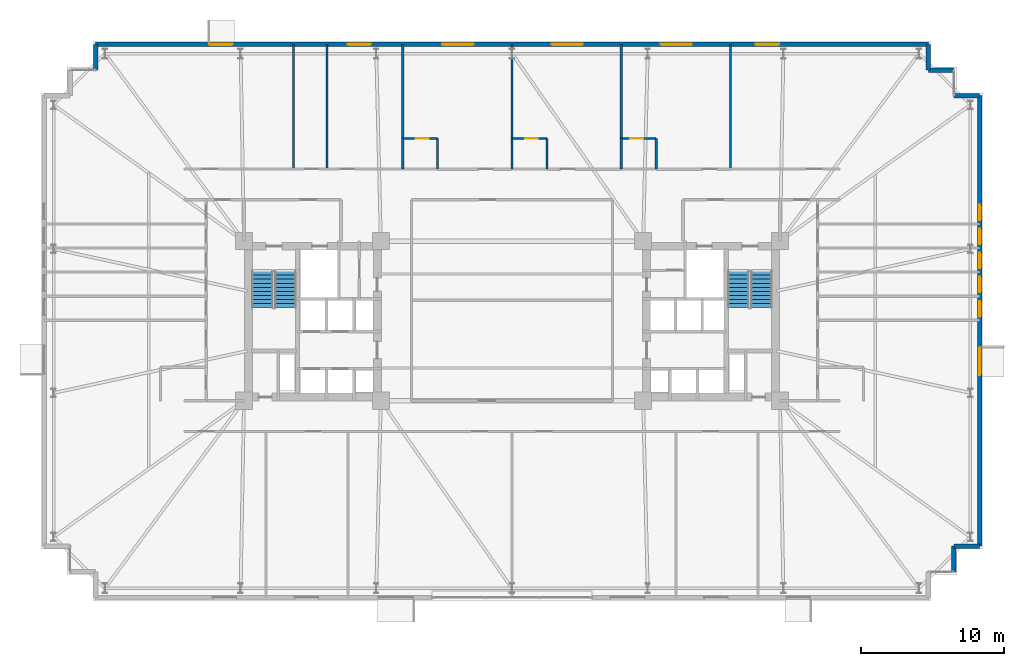
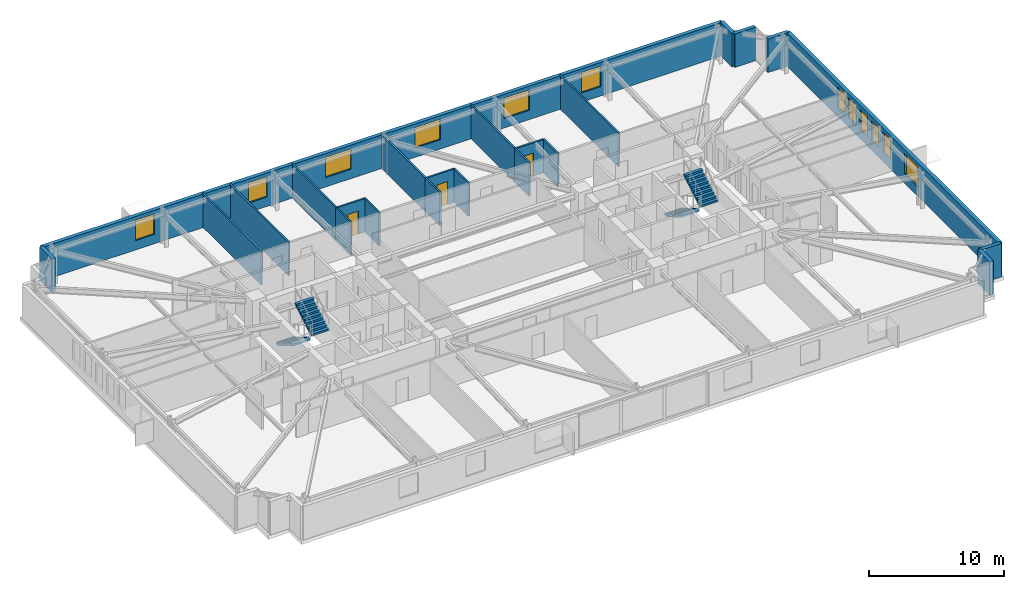
# One storey, part 22 of 24: 23 walls, 12 windows, 4 stair flights, 3 doors, 15 openings, 2 elements without a shape of their own.
"""IFC4 building model written with IfcOpenShell, lengths in metres."""

from ifc_helpers import new_model, si_unit, direction, frame, frame_2d, origin, place, context, subcontext, project, spatial, polyline, rectangle, outline, extrude, material, layer, layer_set, type_object, element, fill, aggregate, save


model = new_model("IFC4")

# Units and contexts
model_context = context("Model", 3, precision=1e-05, world=origin(), true_north=direction((0.0, 1.0)))
body_context = subcontext(model_context, "Body", "Model", "MODEL_VIEW")
ifc_project = project(units=[si_unit("LENGTHUNIT", "METRE"), si_unit("AREAUNIT", "SQUARE_METRE"), si_unit("VOLUMEUNIT", "CUBIC_METRE"), si_unit("PLANEANGLEUNIT", "RADIAN"), si_unit("MASSUNIT", "GRAM", prefix="KILO")], contexts=[model_context])

# Site, building, storey
site_placement = place(None, origin())
site = spatial("IfcSite", under=ifc_project, at=site_placement, CompositionType="ELEMENT")
building_placement = place(site_placement, origin())
building = spatial("IfcBuilding", under=site, at=building_placement, Name="Qobustan Lattice House", CompositionType="ELEMENT")
storey_placement = place(building_placement, frame((0.0, 0.0, 50.449951171875)))
storey = spatial("IfcBuildingStorey", under=building, at=storey_placement, Name="L13", CompositionType="ELEMENT", Elevation=50.449951171875)

# Wall
ifc_material_1 = material(Name="Precast concrete C40/50", Category="concrete")
ifc_layer_1 = layer(ifc_material_1, 0.320068359375)
ifc_layer_set_1 = layer_set([ifc_layer_1], Name="Precast concrete C40/50")
wall_type_1 = type_object("IfcWallType", Name="WAL-EXT-STONE-320", PredefinedType="SOLIDWALL", material=ifc_layer_set_1)
wall_1_placement = place(storey_placement, frame((-29.199951171875, 17.60009765625, 0.0), z_axis=(0.0, 0.0, 1.0), x_axis=(0.0, 1.0, 0.0)))
element("IfcWall", 1, at=wall_1_placement, inside=storey, type_object=wall_type_1, Name="L13 exterior limestone-clad wall 9", PredefinedType="SOLIDWALL", context=body_context, shape_type="SweptSolid", body=[
    extrude(rectangle(XDim=1.7998046875, YDim=0.320068359375, at=frame_2d((0.89990234375, 0.0))), origin(), (0.0, 0.0, 1.0), 3.03515625),
])

# Wall, openings, windows
wall_2_placement = place(storey_placement, frame((-29.199951171875, 19.39990234375, 0.0), z_axis=(0.0, 0.0, 1.0), x_axis=(1.0, 0.0, 0.0)))
wall_2 = element("IfcWall", 2, at=wall_2_placement, inside=storey, type_object=wall_type_1, Name="L13 exterior limestone-clad wall 10", PredefinedType="SOLIDWALL", context=body_context, shape_type="SweptSolid", body=[
    extrude(rectangle(XDim=58.39990234375, YDim=0.320068359375, at=frame_2d((29.199951171875, 0.0))), origin(), (0.0, 0.0, 1.0), 3.03515625),
])
opening_1_placement = place(wall_2_placement, frame((7.972412109375, 0.0, 0.85009765625)))
opening_1 = element("IfcOpeningElement", 3, at=opening_1_placement, cuts=wall_2, Name="Opening WN-09", PredefinedType="OPENING", context=body_context, shape_type="SweptSolid", body=[
    extrude(rectangle(XDim=1.64990234375, YDim=1.85009765625, at=frame_2d((0.824951171875, 0.925048828125))), frame((0.0, 0.169921875, 0.0), z_axis=(0.0, -1.0, 0.0), x_axis=(1.0, 0.0, 0.0)), (0.0, 0.0, 1.0), 0.340087890625),
])
opening_2_placement = place(wall_2_placement, frame((17.69091796875, 0.0, 0.85009765625)))
opening_2 = element("IfcOpeningElement", 4, at=opening_2_placement, cuts=wall_2, Name="Opening WN-13", PredefinedType="OPENING", context=body_context, shape_type="SweptSolid", body=[
    extrude(rectangle(XDim=1.60009765625, YDim=1.85009765625, at=frame_2d((0.800048828125, 0.925048828125))), frame((0.0, 0.169921875, 0.0), z_axis=(0.0, -1.0, 0.0), x_axis=(1.0, 0.0, 0.0)), (0.0, 0.0, 1.0), 0.340087890625),
])
opening_3_placement = place(wall_2_placement, frame((24.300048828125, 0.0, 0.85009765625)))
opening_3 = element("IfcOpeningElement", 5, at=opening_3_placement, cuts=wall_2, Name="Opening WN-03", PredefinedType="OPENING", context=body_context, shape_type="SweptSolid", body=[
    extrude(rectangle(XDim=2.199951171875, YDim=1.85009765625, at=frame_2d((1.10009765625, 0.925048828125))), frame((0.0, 0.169921875, 0.0), z_axis=(0.0, -1.0, 0.0), x_axis=(1.0, 0.0, 0.0)), (0.0, 0.0, 1.0), 0.340087890625),
])
opening_4_placement = place(wall_2_placement, frame((31.97998046875, 0.0, 0.85009765625)))
opening_4 = element("IfcOpeningElement", 6, at=opening_4_placement, cuts=wall_2, Name="Opening WN-03", PredefinedType="OPENING", context=body_context, shape_type="SweptSolid", body=[
    extrude(rectangle(XDim=2.199951171875, YDim=1.85009765625, at=frame_2d((1.10009765625, 0.925048828125))), frame((0.0, 0.169921875, 0.0), z_axis=(0.0, -1.0, 0.0), x_axis=(1.0, 0.0, 0.0)), (0.0, 0.0, 1.0), 0.340087890625),
])
opening_5_placement = place(wall_2_placement, frame((39.6201171875, 0.0, 0.85009765625)))
opening_5 = element("IfcOpeningElement", 7, at=opening_5_placement, cuts=wall_2, Name="Opening WN-03", PredefinedType="OPENING", context=body_context, shape_type="SweptSolid", body=[
    extrude(rectangle(XDim=2.199951171875, YDim=1.85009765625, at=frame_2d((1.10009765625, 0.925048828125))), frame((0.0, 0.169921875, 0.0), z_axis=(0.0, -1.0, 0.0), x_axis=(1.0, 0.0, 0.0)), (0.0, 0.0, 1.0), 0.340087890625),
])
opening_6_placement = place(wall_2_placement, frame((46.29248046875, 0.0, 0.85009765625)))
opening_6 = element("IfcOpeningElement", 8, at=opening_6_placement, cuts=wall_2, Name="Opening WN-09", PredefinedType="OPENING", context=body_context, shape_type="SweptSolid", body=[
    extrude(rectangle(XDim=1.64990234375, YDim=1.85009765625, at=frame_2d((0.824951171875, 0.925048828125))), frame((0.0, 0.169921875, 0.0), z_axis=(0.0, -1.0, 0.0), x_axis=(1.0, 0.0, 0.0)), (0.0, 0.0, 1.0), 0.340087890625),
])
ifc_material_2 = material(Name="Double-glazed low-E aluminium window", Category="aluminium")
window_type_1 = type_object("IfcWindowType", Name="WIN-BED-1600x1850", PartitioningType="SINGLE_PANEL", PredefinedType="WINDOW", material=ifc_material_2)
window_1_placement = place(opening_2_placement, origin())
window_1 = element("IfcWindow", 9, at=window_1_placement, inside=storey, type_object=window_type_1, Name="L13 Laundry utility room window", OverallHeight=1.85009765625, OverallWidth=1.60009765625, PartitioningType="SINGLE_PANEL", PredefinedType="WINDOW", context=body_context, shape_type="SweptSolid", body=[
    extrude(rectangle(XDim=1.60009765625, YDim=1.85009765625, at=frame_2d((0.800048828125, 0.925048828125))), frame((0.0, 0.030029296875, 0.0), z_axis=(0.0, -1.0, 0.0), x_axis=(1.0, 0.0, 0.0)), (0.0, 0.0, 1.0), 0.06005859375),
])
fill(opening_2, window_1)
ifc_material_3 = material(Name="Double-glazed low-E aluminium window", Category="aluminium")
window_type_2 = type_object("IfcWindowType", Name="WIN-STU-1650x1850", PartitioningType="SINGLE_PANEL", PredefinedType="WINDOW", material=ifc_material_3)
window_2_placement = place(opening_1_placement, origin())
window_2 = element("IfcWindow", 10, at=window_2_placement, inside=storey, type_object=window_type_2, Name="L13 Focus study room N1 window", OverallHeight=1.85009765625, OverallWidth=1.64990234375, PartitioningType="SINGLE_PANEL", PredefinedType="WINDOW", context=body_context, shape_type="SweptSolid", body=[
    extrude(rectangle(XDim=1.64990234375, YDim=1.85009765625, at=frame_2d((0.824951171875, 0.925048828125))), frame((0.0, 0.030029296875, 0.0), z_axis=(0.0, -1.0, 0.0), x_axis=(1.0, 0.0, 0.0)), (0.0, 0.0, 1.0), 0.06005859375),
])
fill(opening_1, window_2)
window_3_placement = place(opening_6_placement, origin())
window_3 = element("IfcWindow", 11, at=window_3_placement, inside=storey, type_object=window_type_2, Name="L13 Focus study room N6 window", OverallHeight=1.85009765625, OverallWidth=1.64990234375, PartitioningType="SINGLE_PANEL", PredefinedType="WINDOW", context=body_context, shape_type="SweptSolid", body=[
    extrude(rectangle(XDim=1.64990234375, YDim=1.85009765625, at=frame_2d((0.824951171875, 0.925048828125))), frame((0.0, 0.030029296875, 0.0), z_axis=(0.0, -1.0, 0.0), x_axis=(1.0, 0.0, 0.0)), (0.0, 0.0, 1.0), 0.06005859375),
])
fill(opening_6, window_3)
ifc_material_4 = material(Name="Double-glazed low-E aluminium window", Category="aluminium")
window_type_3 = type_object("IfcWindowType", Name="WIN-WIDE-2200x1850", PartitioningType="SINGLE_PANEL", PredefinedType="WINDOW", material=ifc_material_4)
window_4_placement = place(opening_3_placement, origin())
window_4 = element("IfcWindow", 12, at=window_4_placement, inside=storey, type_object=window_type_3, Name="L13 Kitchenette and studio apartment L13-N3 window", OverallHeight=1.85009765625, OverallWidth=2.199951171875, PartitioningType="SINGLE_PANEL", PredefinedType="WINDOW", context=body_context, shape_type="SweptSolid", body=[
    extrude(rectangle(XDim=2.199951171875, YDim=1.85009765625, at=frame_2d((1.10009765625, 0.925048828125))), frame((0.0, 0.030029296875, 0.0), z_axis=(0.0, -1.0, 0.0), x_axis=(1.0, 0.0, 0.0)), (0.0, 0.0, 1.0), 0.06005859375),
])
fill(opening_3, window_4)
window_5_placement = place(opening_4_placement, origin())
window_5 = element("IfcWindow", 13, at=window_5_placement, inside=storey, type_object=window_type_3, Name="L13 Kitchenette and studio apartment L13-N4 window", OverallHeight=1.85009765625, OverallWidth=2.199951171875, PartitioningType="SINGLE_PANEL", PredefinedType="WINDOW", context=body_context, shape_type="SweptSolid", body=[
    extrude(rectangle(XDim=2.199951171875, YDim=1.85009765625, at=frame_2d((1.10009765625, 0.925048828125))), frame((0.0, 0.030029296875, 0.0), z_axis=(0.0, -1.0, 0.0), x_axis=(1.0, 0.0, 0.0)), (0.0, 0.0, 1.0), 0.06005859375),
])
fill(opening_4, window_5)
window_6_placement = place(opening_5_placement, origin())
window_6 = element("IfcWindow", 14, at=window_6_placement, inside=storey, type_object=window_type_3, Name="L13 Kitchenette and studio apartment L13-N5 window", OverallHeight=1.85009765625, OverallWidth=2.199951171875, PartitioningType="SINGLE_PANEL", PredefinedType="WINDOW", context=body_context, shape_type="SweptSolid", body=[
    extrude(rectangle(XDim=2.199951171875, YDim=1.85009765625, at=frame_2d((1.10009765625, 0.925048828125))), frame((0.0, 0.030029296875, 0.0), z_axis=(0.0, -1.0, 0.0), x_axis=(1.0, 0.0, 0.0)), (0.0, 0.0, 1.0), 0.06005859375),
])
fill(opening_5, window_6)

# Walls
wall_3_placement = place(storey_placement, frame((29.199951171875, 19.39990234375, 0.0), z_axis=(0.0, 0.0, 1.0), x_axis=(0.0, -1.0, 0.0)))
element("IfcWall", 15, at=wall_3_placement, inside=storey, type_object=wall_type_1, Name="L13 exterior limestone-clad wall 11", PredefinedType="SOLIDWALL", context=body_context, shape_type="SweptSolid", body=[
    extrude(rectangle(XDim=1.7998046875, YDim=0.320068359375, at=frame_2d((0.89990234375, 0.0))), origin(), (0.0, 0.0, 1.0), 3.03515625),
])
for number, where, z_axis, x_axis, name in (
    (16, (29.199951171875, 17.60009765625, 0.0), (0.0, 0.0, 1.0), (1.0, 0.0, 0.0), "L13 exterior limestone-clad wall 12"),
    (17, (31.0, 15.800048828125, 0.0), (0.0, 0.0, 1.0), (1.0, 0.0, 0.0), "L13 exterior limestone-clad wall 14"),
):
    element("IfcWall", number, at=place(storey_placement, frame(where, z_axis=z_axis, x_axis=x_axis)), inside=storey, type_object=wall_type_1, Name=name, PredefinedType="SOLIDWALL", context=body_context, shape_type="SweptSolid", body=[
        extrude(rectangle(XDim=1.800048828125, YDim=0.320068359375, at=frame_2d((0.89990234375, 0.0))), origin(), (0.0, 0.0, 1.0), 3.03515625),
    ])

# Wall, openings, windows
wall_4_placement = place(storey_placement, frame((32.800048828125, 15.800048828125, 0.0), z_axis=(0.0, 0.0, 1.0), x_axis=(0.0, -1.0, 0.0)))
wall_4 = element("IfcWall", 18, at=wall_4_placement, inside=storey, type_object=wall_type_1, Name="L13 exterior limestone-clad wall 15", PredefinedType="SOLIDWALL", context=body_context, shape_type="SweptSolid", body=[
    extrude(rectangle(XDim=31.60009765625, YDim=0.320068359375, at=frame_2d((15.800048828125, 0.0))), origin(), (0.0, 0.0, 1.0), 3.03515625),
])
opening_7_placement = place(wall_4_placement, frame((7.64990234375, 0.0, 0.85009765625)))
opening_7 = element("IfcOpeningElement", 19, at=opening_7_placement, cuts=wall_4, Name="Opening WN-04", PredefinedType="OPENING", context=body_context, shape_type="SweptSolid", body=[
    extrude(rectangle(XDim=1.10009765625, YDim=1.85009765625, at=frame_2d((0.550048828125, 0.925048828125))), frame((0.0, 0.169921875, 0.0), z_axis=(0.0, -1.0, 0.0), x_axis=(1.0, 0.0, 0.0)), (0.0, 0.0, 1.0), 0.340087890625),
])
opening_8_placement = place(wall_4_placement, frame((9.330078125, 0.0, 0.85009765625)))
opening_8 = element("IfcOpeningElement", 20, at=opening_8_placement, cuts=wall_4, Name="Opening WN-04", PredefinedType="OPENING", context=body_context, shape_type="SweptSolid", body=[
    extrude(rectangle(XDim=1.10009765625, YDim=1.85009765625, at=frame_2d((0.550048828125, 0.925048828125))), frame((0.0, 0.169921875, 0.0), z_axis=(0.0, -1.0, 0.0), x_axis=(1.0, 0.0, 0.0)), (0.0, 0.0, 1.0), 0.340087890625),
])
opening_9_placement = place(wall_4_placement, frame((11.010009765625, 0.0, 0.85009765625)))
opening_9 = element("IfcOpeningElement", 21, at=opening_9_placement, cuts=wall_4, Name="Opening WN-04", PredefinedType="OPENING", context=body_context, shape_type="SweptSolid", body=[
    extrude(rectangle(XDim=1.10009765625, YDim=1.85009765625, at=frame_2d((0.550048828125, 0.925048828125))), frame((0.0, 0.169921875, 0.0), z_axis=(0.0, -1.0, 0.0), x_axis=(1.0, 0.0, 0.0)), (0.0, 0.0, 1.0), 0.340087890625),
])
opening_10_placement = place(wall_4_placement, frame((12.68994140625, 0.0, 0.85009765625)))
opening_10 = element("IfcOpeningElement", 22, at=opening_10_placement, cuts=wall_4, Name="Opening WN-04", PredefinedType="OPENING", context=body_context, shape_type="SweptSolid", body=[
    extrude(rectangle(XDim=1.10009765625, YDim=1.85009765625, at=frame_2d((0.550048828125, 0.925048828125))), frame((0.0, 0.169921875, 0.0), z_axis=(0.0, -1.0, 0.0), x_axis=(1.0, 0.0, 0.0)), (0.0, 0.0, 1.0), 0.340087890625),
])
opening_11_placement = place(wall_4_placement, frame((14.409912109375, 0.0, 0.85009765625)))
opening_11 = element("IfcOpeningElement", 23, at=opening_11_placement, cuts=wall_4, Name="Opening WN-04", PredefinedType="OPENING", context=body_context, shape_type="SweptSolid", body=[
    extrude(rectangle(XDim=1.10009765625, YDim=1.85009765625, at=frame_2d((0.550048828125, 0.925048828125))), frame((0.0, 0.169921875, 0.0), z_axis=(0.0, -1.0, 0.0), x_axis=(1.0, 0.0, 0.0)), (0.0, 0.0, 1.0), 0.340087890625),
])
opening_12_placement = place(wall_4_placement, frame((17.6650390625, 0.0, 0.85009765625)))
opening_12 = element("IfcOpeningElement", 24, at=opening_12_placement, cuts=wall_4, Name="Opening WN-08", PredefinedType="OPENING", context=body_context, shape_type="SweptSolid", body=[
    extrude(rectangle(XDim=1.949951171875, YDim=1.85009765625, at=frame_2d((0.97509765625, 0.925048828125))), frame((0.0, 0.169921875, 0.0), z_axis=(0.0, -1.0, 0.0), x_axis=(1.0, 0.0, 0.0)), (0.0, 0.0, 1.0), 0.340087890625),
])
ifc_material_5 = material(Name="Double-glazed low-E aluminium window", Category="aluminium")
window_type_4 = type_object("IfcWindowType", Name="WIN-KIT-1950x1850", PartitioningType="SINGLE_PANEL", PredefinedType="WINDOW", material=ifc_material_5)
window_7_placement = place(opening_12_placement, origin())
window_7 = element("IfcWindow", 25, at=window_7_placement, inside=storey, type_object=window_type_4, Name="L13 Shared kitchen L13E window", OverallHeight=1.85009765625, OverallWidth=1.949951171875, PartitioningType="SINGLE_PANEL", PredefinedType="WINDOW", context=body_context, shape_type="SweptSolid", body=[
    extrude(rectangle(XDim=1.949951171875, YDim=1.85009765625, at=frame_2d((0.97509765625, 0.925048828125))), frame((0.0, 0.030029296875, 0.0), z_axis=(0.0, -1.0, 0.0), x_axis=(1.0, 0.0, 0.0)), (0.0, 0.0, 1.0), 0.06005859375),
])
fill(opening_12, window_7)
ifc_material_6 = material(Name="Double-glazed low-E aluminium window", Category="aluminium")
window_type_5 = type_object("IfcWindowType", Name="WIN-NAR-1100x1850", PartitioningType="SINGLE_PANEL", PredefinedType="WINDOW", material=ifc_material_6)
window_8_placement = place(opening_7_placement, origin())
window_8 = element("IfcWindow", 26, at=window_8_placement, inside=storey, type_object=window_type_5, Name="L13 Cluster bedroom L13E5 window", OverallHeight=1.85009765625, OverallWidth=1.10009765625, PartitioningType="SINGLE_PANEL", PredefinedType="WINDOW", context=body_context, shape_type="SweptSolid", body=[
    extrude(rectangle(XDim=1.10009765625, YDim=1.85009765625, at=frame_2d((0.550048828125, 0.925048828125))), frame((0.0, 0.030029296875, 0.0), z_axis=(0.0, -1.0, 0.0), x_axis=(1.0, 0.0, 0.0)), (0.0, 0.0, 1.0), 0.06005859375),
])
fill(opening_7, window_8)
window_9_placement = place(opening_8_placement, origin())
window_9 = element("IfcWindow", 27, at=window_9_placement, inside=storey, type_object=window_type_5, Name="L13 Cluster bedroom L13E4 window", OverallHeight=1.85009765625, OverallWidth=1.10009765625, PartitioningType="SINGLE_PANEL", PredefinedType="WINDOW", context=body_context, shape_type="SweptSolid", body=[
    extrude(rectangle(XDim=1.10009765625, YDim=1.85009765625, at=frame_2d((0.550048828125, 0.925048828125))), frame((0.0, 0.030029296875, 0.0), z_axis=(0.0, -1.0, 0.0), x_axis=(1.0, 0.0, 0.0)), (0.0, 0.0, 1.0), 0.06005859375),
])
fill(opening_8, window_9)
window_10_placement = place(opening_9_placement, origin())
window_10 = element("IfcWindow", 28, at=window_10_placement, inside=storey, type_object=window_type_5, Name="L13 Cluster bedroom L13E3 window", OverallHeight=1.85009765625, OverallWidth=1.10009765625, PartitioningType="SINGLE_PANEL", PredefinedType="WINDOW", context=body_context, shape_type="SweptSolid", body=[
    extrude(rectangle(XDim=1.10009765625, YDim=1.85009765625, at=frame_2d((0.550048828125, 0.925048828125))), frame((0.0, 0.030029296875, 0.0), z_axis=(0.0, -1.0, 0.0), x_axis=(1.0, 0.0, 0.0)), (0.0, 0.0, 1.0), 0.06005859375),
])
fill(opening_9, window_10)
window_11_placement = place(opening_10_placement, origin())
window_11 = element("IfcWindow", 29, at=window_11_placement, inside=storey, type_object=window_type_5, Name="L13 Cluster bedroom L13E2 window", OverallHeight=1.85009765625, OverallWidth=1.10009765625, PartitioningType="SINGLE_PANEL", PredefinedType="WINDOW", context=body_context, shape_type="SweptSolid", body=[
    extrude(rectangle(XDim=1.10009765625, YDim=1.85009765625, at=frame_2d((0.550048828125, 0.925048828125))), frame((0.0, 0.030029296875, 0.0), z_axis=(0.0, -1.0, 0.0), x_axis=(1.0, 0.0, 0.0)), (0.0, 0.0, 1.0), 0.06005859375),
])
fill(opening_10, window_11)
window_12_placement = place(opening_11_placement, origin())
window_12 = element("IfcWindow", 30, at=window_12_placement, inside=storey, type_object=window_type_5, Name="L13 Cluster bedroom L13E1 window", OverallHeight=1.85009765625, OverallWidth=1.10009765625, PartitioningType="SINGLE_PANEL", PredefinedType="WINDOW", context=body_context, shape_type="SweptSolid", body=[
    extrude(rectangle(XDim=1.10009765625, YDim=1.85009765625, at=frame_2d((0.550048828125, 0.925048828125))), frame((0.0, 0.030029296875, 0.0), z_axis=(0.0, -1.0, 0.0), x_axis=(1.0, 0.0, 0.0)), (0.0, 0.0, 1.0), 0.06005859375),
])
fill(opening_11, window_12)

# Walls
for number, where, z_axis, x_axis, name in (
    (31, (32.800048828125, -15.800048828125, 0.0), (0.0, 0.0, 1.0), (-1.0, 0.0, 0.0), "L13 exterior limestone-clad wall 16"),
    (32, (31.0, -15.800048828125, 0.0), (0.0, 0.0, 1.0), (0.0, -1.0, 0.0), "L13 exterior limestone-clad wall 17"),
):
    element("IfcWall", number, at=place(storey_placement, frame(where, z_axis=z_axis, x_axis=x_axis)), inside=storey, type_object=wall_type_1, Name=name, PredefinedType="SOLIDWALL", context=body_context, shape_type="SweptSolid", body=[
        extrude(rectangle(XDim=1.800048828125, YDim=0.320068359375, at=frame_2d((0.89990234375, 0.0))), origin(), (0.0, 0.0, 1.0), 3.03515625),
    ])
ifc_material_7 = material(Name="Acoustic twin-stud gypsum partition", Category="gypsum")
ifc_layer_2 = layer(ifc_material_7, 0.14990234375)
ifc_layer_set_2 = layer_set([ifc_layer_2], Name="Acoustic twin-stud gypsum partition")
wall_type_2 = type_object("IfcWallType", Name="WAL-PART-150", PredefinedType="PARTITIONING", material=ifc_layer_set_2)
for number, where, z_axis, x_axis, name in (
    (33, (-7.6669921875, 19.39990234375, 0.0), (0.0, 0.0, 1.0), (0.0, -1.0, 0.0), "L13 interior partition 100"),
    (34, (0.0, 19.39990234375, 0.0), (0.0, 0.0, 1.0), (0.0, -1.0, 0.0), "L13 interior partition 104"),
    (35, (7.6669921875, 19.39990234375, 0.0), (0.0, 0.0, 1.0), (0.0, -1.0, 0.0), "L13 interior partition 108"),
):
    element("IfcWall", number, at=place(storey_placement, frame(where, z_axis=z_axis, x_axis=x_axis)), inside=storey, type_object=wall_type_2, Name=name, PredefinedType="PARTITIONING", context=body_context, shape_type="SweptSolid", body=[
        extrude(rectangle(XDim=6.599853515625, YDim=0.14990234375, at=frame_2d((3.2998046875, 0.0))), origin(), (0.0, 0.0, 1.0), 3.03515625),
    ])
wall_5_placement = place(storey_placement, frame((15.3330078125, 19.39990234375, 0.0), z_axis=(0.0, 0.0, 1.0), x_axis=(0.0, -1.0, 0.0)))
element("IfcWall", 36, at=wall_5_placement, inside=storey, type_object=wall_type_2, Name="L13 interior partition 112", PredefinedType="PARTITIONING", context=body_context, shape_type="SweptSolid", body=[
    extrude(rectangle(XDim=8.75, YDim=0.14990234375, at=frame_2d((4.375, 0.0))), origin(), (0.0, 0.0, 1.0), 3.03515625),
])
ifc_material_8 = material(Name="Moisture-resistant acoustic plumbing wall", Category="gypsum")
ifc_layer_3 = layer(ifc_material_8, 0.14990234375)
ifc_layer_set_3 = layer_set([ifc_layer_3], Name="Moisture-resistant acoustic plumbing wall")
wall_type_3 = type_object("IfcWallType", Name="WAL-WET-150", PredefinedType="PLUMBINGWALL", material=ifc_layer_set_3)
for number, where, z_axis, x_axis, name in (
    (37, (-15.3330078125, 19.39990234375, 0.0), (0.0, 0.0, 1.0), (0.0, -1.0, 0.0), "L13 interior partition 98"),
    (38, (-12.98291015625, 19.39990234375, 0.0), (0.0, 0.0, 1.0), (0.0, -1.0, 0.0), "L13 interior partition 99"),
):
    element("IfcWall", number, at=place(storey_placement, frame(where, z_axis=z_axis, x_axis=x_axis)), inside=storey, type_object=wall_type_3, Name=name, PredefinedType="PLUMBINGWALL", context=body_context, shape_type="SweptSolid", body=[
        extrude(rectangle(XDim=8.75, YDim=0.14990234375, at=frame_2d((4.375, 0.0))), origin(), (0.0, 0.0, 1.0), 3.03515625),
    ])
wall_6_placement = place(storey_placement, frame((-7.6669921875, 12.800048828125, 0.0), z_axis=(0.0, 0.0, 1.0), x_axis=(0.0, -1.0, 0.0)))
element("IfcWall", 39, at=wall_6_placement, inside=storey, type_object=wall_type_3, Name="L13 interior partition 101", PredefinedType="PLUMBINGWALL", context=body_context, shape_type="SweptSolid", body=[
    extrude(rectangle(XDim=2.150146484375, YDim=0.14990234375, at=frame_2d((1.0751953125, 0.0))), origin(), (0.0, 0.0, 1.0), 3.03515625),
])

# Wall, opening, door
wall_7_placement = place(storey_placement, frame((-5.217041015625, 12.800048828125, 0.0), z_axis=(0.0, 0.0, 1.0), x_axis=(-1.0, 0.0, 0.0)))
wall_7 = element("IfcWall", 40, at=wall_7_placement, inside=storey, type_object=wall_type_3, Name="L13 interior partition 102", PredefinedType="PLUMBINGWALL", context=body_context, shape_type="SweptSolid", body=[
    extrude(rectangle(XDim=2.449951171875, YDim=0.14990234375, at=frame_2d((1.22509765625, 0.0))), origin(), (0.0, 0.0, 1.0), 3.03515625),
])
opening_13_placement = place(wall_7_placement, frame((0.62890625, 0.0, 0.0)))
opening_13 = element("IfcOpeningElement", 41, at=opening_13_placement, cuts=wall_7, Name="Opening WD-01", PredefinedType="OPENING", context=body_context, shape_type="SweptSolid", body=[
    extrude(rectangle(XDim=0.89990234375, YDim=2.10009765625, at=frame_2d((0.449951171875, 1.050048828125))), frame((0.0, 0.0849609375, 0.0), z_axis=(0.0, -1.0, 0.0), x_axis=(1.0, 0.0, 0.0)), (0.0, 0.0, 1.0), 0.169921875),
])
ifc_material_9 = material(Name="Persian walnut timber and steel frame door", Category="steel")
door_type = type_object("IfcDoorType", Name="DOR-WET-900x2100", OperationType="NOTDEFINED", PredefinedType="DOOR", material=ifc_material_9)
door_1_placement = place(opening_13_placement, origin())
door_1 = element("IfcDoor", 42, at=door_1_placement, inside=storey, type_object=door_type, Name="L13 Kitchenette and studio apartment L13-N3 to En-suite bathroom L13-N3 door", OperationType="SINGLE_SWING_LEFT", OverallHeight=2.10009765625, OverallWidth=0.89990234375, PredefinedType="DOOR", context=body_context, shape_type="SweptSolid", body=[
    extrude(rectangle(XDim=0.89990234375, YDim=2.10009765625, at=frame_2d((0.449951171875, 1.050048828125))), frame((0.0, 0.02490234375, 0.0), z_axis=(0.0, -1.0, 0.0), x_axis=(1.0, 0.0, 0.0)), (0.0, 0.0, 1.0), 0.050048828125),
])
fill(opening_13, door_1)

# Walls
for number, where, z_axis, x_axis, name in (
    (43, (-5.217041015625, 10.64990234375, 0.0), (0.0, 0.0, 1.0), (0.0, 1.0, 0.0), "L13 interior partition 103"),
    (44, (0.0, 12.800048828125, 0.0), (0.0, 0.0, 1.0), (0.0, -1.0, 0.0), "L13 interior partition 105"),
):
    element("IfcWall", number, at=place(storey_placement, frame(where, z_axis=z_axis, x_axis=x_axis)), inside=storey, type_object=wall_type_3, Name=name, PredefinedType="PLUMBINGWALL", context=body_context, shape_type="SweptSolid", body=[
        extrude(rectangle(XDim=2.150146484375, YDim=0.14990234375, at=frame_2d((1.0751953125, 0.0))), origin(), (0.0, 0.0, 1.0), 3.03515625),
    ])

# Wall, opening, door
wall_8_placement = place(storey_placement, frame((2.449951171875, 12.800048828125, 0.0), z_axis=(0.0, 0.0, 1.0), x_axis=(-1.0, 0.0, 0.0)))
wall_8 = element("IfcWall", 45, at=wall_8_placement, inside=storey, type_object=wall_type_3, Name="L13 interior partition 106", PredefinedType="PLUMBINGWALL", context=body_context, shape_type="SweptSolid", body=[
    extrude(rectangle(XDim=2.449951171875, YDim=0.14990234375, at=frame_2d((1.22509765625, 0.0))), origin(), (0.0, 0.0, 1.0), 3.03515625),
])
opening_14_placement = place(wall_8_placement, frame((0.62890625, 0.0, 0.0)))
opening_14 = element("IfcOpeningElement", 46, at=opening_14_placement, cuts=wall_8, Name="Opening WD-01", PredefinedType="OPENING", context=body_context, shape_type="SweptSolid", body=[
    extrude(rectangle(XDim=0.89990234375, YDim=2.10009765625, at=frame_2d((0.449951171875, 1.050048828125))), frame((0.0, 0.0849609375, 0.0), z_axis=(0.0, -1.0, 0.0), x_axis=(1.0, 0.0, 0.0)), (0.0, 0.0, 1.0), 0.169921875),
])
door_2_placement = place(opening_14_placement, origin())
door_2 = element("IfcDoor", 47, at=door_2_placement, inside=storey, type_object=door_type, Name="L13 Kitchenette and studio apartment L13-N4 to En-suite bathroom L13-N4 door", OperationType="SINGLE_SWING_RIGHT", OverallHeight=2.10009765625, OverallWidth=0.89990234375, PredefinedType="DOOR", context=body_context, shape_type="SweptSolid", body=[
    extrude(rectangle(XDim=0.89990234375, YDim=2.10009765625, at=frame_2d((0.449951171875, 1.050048828125))), frame((0.0, 0.02490234375, 0.0), z_axis=(0.0, -1.0, 0.0), x_axis=(1.0, 0.0, 0.0)), (0.0, 0.0, 1.0), 0.050048828125),
])
fill(opening_14, door_2)

# Walls
for number, where, z_axis, x_axis, name in (
    (48, (2.449951171875, 10.64990234375, 0.0), (0.0, 0.0, 1.0), (0.0, 1.0, 0.0), "L13 interior partition 107"),
    (49, (7.6669921875, 12.800048828125, 0.0), (0.0, 0.0, 1.0), (0.0, -1.0, 0.0), "L13 interior partition 109"),
):
    element("IfcWall", number, at=place(storey_placement, frame(where, z_axis=z_axis, x_axis=x_axis)), inside=storey, type_object=wall_type_3, Name=name, PredefinedType="PLUMBINGWALL", context=body_context, shape_type="SweptSolid", body=[
        extrude(rectangle(XDim=2.150146484375, YDim=0.14990234375, at=frame_2d((1.0751953125, 0.0))), origin(), (0.0, 0.0, 1.0), 3.03515625),
    ])

# Wall, opening, door
wall_9_placement = place(storey_placement, frame((10.116943359375, 12.800048828125, 0.0), z_axis=(0.0, 0.0, 1.0), x_axis=(-1.0, 0.0, 0.0)))
wall_9 = element("IfcWall", 50, at=wall_9_placement, inside=storey, type_object=wall_type_3, Name="L13 interior partition 110", PredefinedType="PLUMBINGWALL", context=body_context, shape_type="SweptSolid", body=[
    extrude(rectangle(XDim=2.449951171875, YDim=0.14990234375, at=frame_2d((1.22509765625, 0.0))), origin(), (0.0, 0.0, 1.0), 3.03515625),
])
opening_15_placement = place(wall_9_placement, frame((0.92138671875, 0.0, 0.0)))
opening_15 = element("IfcOpeningElement", 51, at=opening_15_placement, cuts=wall_9, Name="Opening WD-01", PredefinedType="OPENING", context=body_context, shape_type="SweptSolid", body=[
    extrude(rectangle(XDim=0.89990234375, YDim=2.10009765625, at=frame_2d((0.449951171875, 1.050048828125))), frame((0.0, 0.0849609375, 0.0), z_axis=(0.0, -1.0, 0.0), x_axis=(1.0, 0.0, 0.0)), (0.0, 0.0, 1.0), 0.169921875),
])
door_3_placement = place(opening_15_placement, origin())
door_3 = element("IfcDoor", 52, at=door_3_placement, inside=storey, type_object=door_type, Name="L13 Kitchenette and studio apartment L13-N5 to En-suite bathroom L13-N5 door", OperationType="SINGLE_SWING_LEFT", OverallHeight=2.10009765625, OverallWidth=0.89990234375, PredefinedType="DOOR", context=body_context, shape_type="SweptSolid", body=[
    extrude(rectangle(XDim=0.89990234375, YDim=2.10009765625, at=frame_2d((0.449951171875, 1.050048828125))), frame((0.0, 0.02490234375, 0.0), z_axis=(0.0, -1.0, 0.0), x_axis=(1.0, 0.0, 0.0)), (0.0, 0.0, 1.0), 0.050048828125),
])
fill(opening_15, door_3)

# Wall
wall_10_placement = place(storey_placement, frame((10.116943359375, 10.64990234375, 0.0), z_axis=(0.0, 0.0, 1.0), x_axis=(0.0, 1.0, 0.0)))
element("IfcWall", 53, at=wall_10_placement, inside=storey, type_object=wall_type_3, Name="L13 interior partition 111", PredefinedType="PLUMBINGWALL", context=body_context, shape_type="SweptSolid", body=[
    extrude(rectangle(XDim=2.150146484375, YDim=0.14990234375, at=frame_2d((1.0751953125, 0.0))), origin(), (0.0, 0.0, 1.0), 3.03515625),
])

# Stair, stair flights
ifc_material_10 = material(Name="Concrete C40/50", Category="concrete")
stair_type = type_object("IfcStairType", Name="STR-CORE-DOGLEG", PredefinedType="HALF_TURN_STAIR", material=ifc_material_10)
stair_1_placement = place(storey_placement, origin())
stair_1 = element("IfcStair", 54, at=stair_1_placement, inside=storey, type_object=stair_type, Name="L13 West protected exit stair ST-W1", PredefinedType="HALF_TURN_STAIR")
ifc_material_11 = material(Name="Concrete C40/50", Category="concrete")
stair_flight_type = type_object("IfcStairFlightType", Name="SFL-RC-1500", PredefinedType="STRAIGHT", material=ifc_material_11)
stair_flight_1_placement = place(storey_placement, frame((-17.5, 3.5, 0.0), z_axis=(0.0, 0.0, 1.0), x_axis=(0.0, -1.0, 0.0)))
stair_flight_1 = element("IfcStairFlight", 55, at=stair_flight_1_placement, type_object=stair_flight_type, Name="ST-W1 flight 1", NumberOfRisers=10, NumberOfTreads=9, PredefinedType="STRAIGHT", RiserHeight=0.1675, TreadLength=0.285, context=body_context, shape_type="SweptSolid", body=[
    extrude(outline(polyline([(0.0, 0.0), (0.0, 0.16748046875), (0.284912109375, 0.16748046875), (0.284912109375, 0.3349609375), (0.570068359375, 0.3349609375), (0.570068359375, 0.50244140625), (0.85498046875, 0.50244140625), (0.85498046875, 0.669921875), (1.139892578125, 0.669921875), (1.139892578125, 0.83740234375), (1.425048828125, 0.83740234375), (1.425048828125, 1.0048828125), (1.7099609375, 1.0048828125), (1.7099609375, 1.172607421875), (1.9951171875, 1.172607421875), (1.9951171875, 1.340087890625), (2.280029296875, 1.340087890625), (2.280029296875, 1.507568359375), (2.56494140625, 1.507568359375), (2.56494140625, 1.675048828125), (2.56494140625, 1.333740234375), (0.2958984375, 0.0), (0.0, 0.0)])), frame((0.0, 0.75, 0.0), z_axis=(0.0, -1.0, 0.0), x_axis=(1.0, 0.0, 0.0)), (0.0, 0.0, 1.0), 1.5),
])
stair_flight_2_placement = place(storey_placement, frame((-15.8798828125, 0.93505859375, 1.675048828125), z_axis=(0.0, 0.0, 1.0), x_axis=(0.0, 1.0, 0.0)))
stair_flight_2 = element("IfcStairFlight", 56, at=stair_flight_2_placement, type_object=stair_flight_type, Name="ST-W1 flight 2", NumberOfRisers=10, NumberOfTreads=9, PredefinedType="STRAIGHT", RiserHeight=0.1675, TreadLength=0.285, context=body_context, shape_type="SweptSolid", body=[
    extrude(outline(polyline([(0.0, 0.0), (0.0, 0.16748046875), (0.284912109375, 0.16748046875), (0.284912109375, 0.3349609375), (0.570068359375, 0.3349609375), (0.570068359375, 0.50244140625), (0.85498046875, 0.50244140625), (0.85498046875, 0.669921875), (1.139892578125, 0.669921875), (1.139892578125, 0.83740234375), (1.425048828125, 0.83740234375), (1.425048828125, 1.0048828125), (1.7099609375, 1.0048828125), (1.7099609375, 1.172607421875), (1.9951171875, 1.172607421875), (1.9951171875, 1.340087890625), (2.280029296875, 1.340087890625), (2.280029296875, 1.507568359375), (2.56494140625, 1.507568359375), (2.56494140625, 1.675048828125), (2.56494140625, 1.333740234375), (0.2958984375, 0.0), (0.0, 0.0)])), frame((0.0, 0.75, 0.0), z_axis=(0.0, -1.0, 0.0), x_axis=(1.0, 0.0, 0.0)), (0.0, 0.0, 1.0), 1.5),
])
aggregate(stair_1, [stair_flight_1, stair_flight_2])

stair_2_placement = place(storey_placement, origin())
stair_2 = element("IfcStair", 57, at=stair_2_placement, inside=storey, type_object=stair_type, Name="L13 East protected exit stair ST-E1", PredefinedType="HALF_TURN_STAIR")
stair_flight_3_placement = place(storey_placement, frame((15.8798828125, 3.5, 0.0), z_axis=(0.0, 0.0, 1.0), x_axis=(0.0, -1.0, 0.0)))
stair_flight_3 = element("IfcStairFlight", 58, at=stair_flight_3_placement, type_object=stair_flight_type, Name="ST-E1 flight 1", NumberOfRisers=10, NumberOfTreads=9, PredefinedType="STRAIGHT", RiserHeight=0.1675, TreadLength=0.285, context=body_context, shape_type="SweptSolid", body=[
    extrude(outline(polyline([(0.0, 0.0), (0.0, 0.16748046875), (0.284912109375, 0.16748046875), (0.284912109375, 0.3349609375), (0.570068359375, 0.3349609375), (0.570068359375, 0.50244140625), (0.85498046875, 0.50244140625), (0.85498046875, 0.669921875), (1.139892578125, 0.669921875), (1.139892578125, 0.83740234375), (1.425048828125, 0.83740234375), (1.425048828125, 1.0048828125), (1.7099609375, 1.0048828125), (1.7099609375, 1.172607421875), (1.9951171875, 1.172607421875), (1.9951171875, 1.340087890625), (2.280029296875, 1.340087890625), (2.280029296875, 1.507568359375), (2.56494140625, 1.507568359375), (2.56494140625, 1.675048828125), (2.56494140625, 1.333740234375), (0.2958984375, 0.0), (0.0, 0.0)])), frame((0.0, 0.75, 0.0), z_axis=(0.0, -1.0, 0.0), x_axis=(1.0, 0.0, 0.0)), (0.0, 0.0, 1.0), 1.5),
])
stair_flight_4_placement = place(storey_placement, frame((17.5, 0.93505859375, 1.675048828125), z_axis=(0.0, 0.0, 1.0), x_axis=(0.0, 1.0, 0.0)))
stair_flight_4 = element("IfcStairFlight", 59, at=stair_flight_4_placement, type_object=stair_flight_type, Name="ST-E1 flight 2", NumberOfRisers=10, NumberOfTreads=9, PredefinedType="STRAIGHT", RiserHeight=0.1675, TreadLength=0.285, context=body_context, shape_type="SweptSolid", body=[
    extrude(outline(polyline([(0.0, 0.0), (0.0, 0.16748046875), (0.284912109375, 0.16748046875), (0.284912109375, 0.3349609375), (0.570068359375, 0.3349609375), (0.570068359375, 0.50244140625), (0.85498046875, 0.50244140625), (0.85498046875, 0.669921875), (1.139892578125, 0.669921875), (1.139892578125, 0.83740234375), (1.425048828125, 0.83740234375), (1.425048828125, 1.0048828125), (1.7099609375, 1.0048828125), (1.7099609375, 1.172607421875), (1.9951171875, 1.172607421875), (1.9951171875, 1.340087890625), (2.280029296875, 1.340087890625), (2.280029296875, 1.507568359375), (2.56494140625, 1.507568359375), (2.56494140625, 1.675048828125), (2.56494140625, 1.333740234375), (0.2958984375, 0.0), (0.0, 0.0)])), frame((0.0, 0.75, 0.0), z_axis=(0.0, -1.0, 0.0), x_axis=(1.0, 0.0, 0.0)), (0.0, 0.0, 1.0), 1.5),
])
aggregate(stair_2, [stair_flight_3, stair_flight_4])

save(model, "model.ifc")
